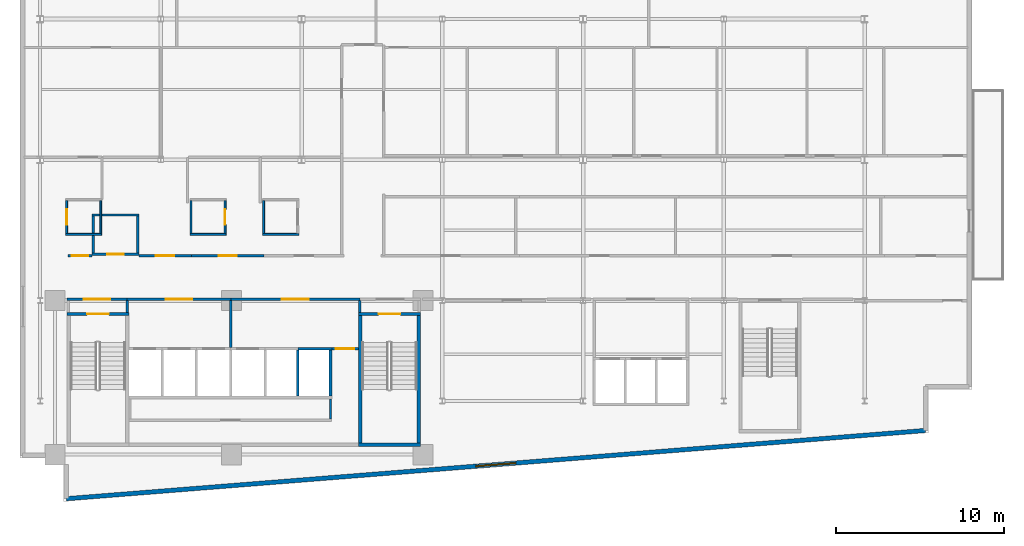
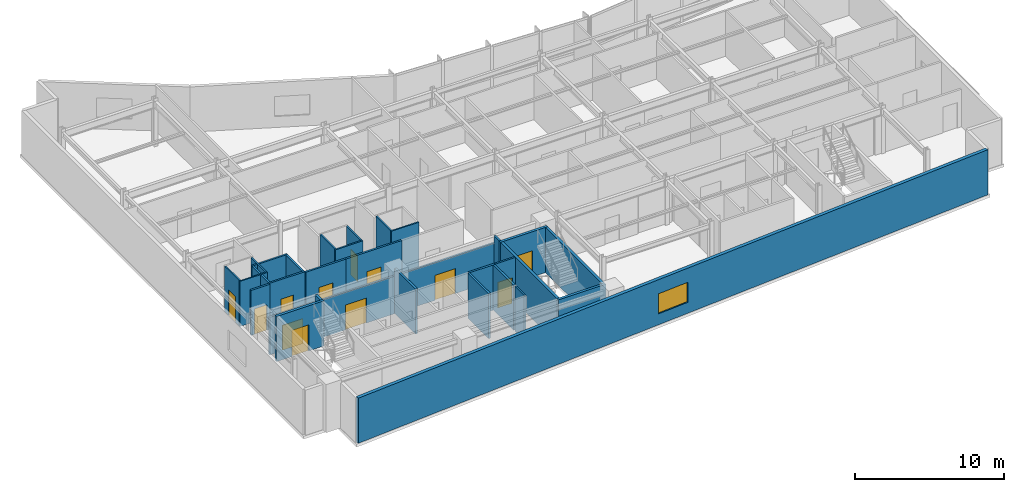
# One storey, part 10 of 18: 32 walls, 12 doors, 1 window, 13 openings.
"""IFC4 building model written with IfcOpenShell, lengths in metres."""

from ifc_helpers import new_model, si_unit, direction, frame, frame_2d, origin, place, context, subcontext, project, spatial, rectangle, extrude, material, layer, layer_set, type_object, element, fill, save


model = new_model("IFC4")

# Units and contexts
model_context = context("Model", 3, precision=1e-05, world=origin(), true_north=direction((0.0, 1.0)))
body_context = subcontext(model_context, "Body", "Model", "MODEL_VIEW")
ifc_project = project(units=[si_unit("LENGTHUNIT", "METRE"), si_unit("AREAUNIT", "SQUARE_METRE"), si_unit("VOLUMEUNIT", "CUBIC_METRE"), si_unit("PLANEANGLEUNIT", "RADIAN"), si_unit("MASSUNIT", "GRAM", prefix="KILO")], contexts=[model_context])

# Site, building, storey
site_placement = place(None, origin())
site = spatial("IfcSite", under=ifc_project, at=site_placement, CompositionType="ELEMENT")
building_placement = place(site_placement, origin())
building = spatial("IfcBuilding", under=site, at=building_placement, Name="Varnakote Quay Hospital", CompositionType="ELEMENT")
storey_placement = place(building_placement, frame((0.0, 0.0, 154.699951171875)))
storey = spatial("IfcBuildingStorey", under=building, at=storey_placement, Name="L38", CompositionType="ELEMENT", Elevation=154.699951171875)

# Wall, opening, door
ifc_material_1 = material(Name="Fire-rated acoustic gypsum stud wall", Category="gypsum")
ifc_layer_1 = layer(ifc_material_1, 0.159912109375)
ifc_layer_set_1 = layer_set([ifc_layer_1], Name="Fire-rated acoustic gypsum stud wall")
wall_type_1 = type_object("IfcWallType", Name="WL-COMP-160", PredefinedType="PARTITIONING", material=ifc_layer_set_1)
wall_1_placement = place(storey_placement, frame((2.800048828125, 12.080078125, 0.0), z_axis=(0.0, 0.0, 1.0), x_axis=(1.0, 0.0, 0.0)))
wall_1 = element("IfcWall", 1, at=wall_1_placement, inside=storey, type_object=wall_type_1, Name="L38 West Stair Vestibule Smoke Wall", PredefinedType="PARTITIONING", context=body_context, shape_type="SweptSolid", body=[
    extrude(rectangle(XDim=3.599853515625, YDim=0.159912109375, at=frame_2d((1.7998046875, 0.0))), origin(), (0.0, 0.0, 1.0), 3.0830078125),
])
opening_1_placement = place(wall_1_placement, frame((1.0, 0.0, 0.0)))
opening_1 = element("IfcOpeningElement", 2, at=opening_1_placement, cuts=wall_1, Name="Opening D-ST1L-L38", PredefinedType="OPENING", context=body_context, shape_type="SweptSolid", body=[
    extrude(rectangle(XDim=1.60009765625, YDim=2.050048828125, at=frame_2d((0.800048828125, 1.02490234375))), frame((0.0, 0.08984375, 0.0), z_axis=(0.0, -1.0, 0.0), x_axis=(1.0, 0.0, 0.0)), (0.0, 0.0, 1.0), 0.179931640625),
])
ifc_material_2 = material(Name="Fire-rated double smoke lobby door")
door_type_1 = type_object("IfcDoorType", Name="DR-LOBBY-FD60S-1600x2150", OperationType="NOTDEFINED", PredefinedType="DOOR", material=ifc_material_2)
door_1_placement = place(opening_1_placement, origin())
door_1 = element("IfcDoor", 3, at=door_1_placement, inside=storey, type_object=door_type_1, Name="L38 West Stair Vestibule Smoke Door", OperationType="DOUBLE_DOOR_SINGLE_SWING", OverallHeight=2.050048828125, OverallWidth=1.60009765625, PredefinedType="DOOR", context=body_context, shape_type="SweptSolid", body=[
    extrude(rectangle(XDim=1.60009765625, YDim=2.050048828125, at=frame_2d((0.800048828125, 1.02490234375))), frame((0.0, 0.02490234375, 0.0), z_axis=(0.0, -1.0, 0.0), x_axis=(1.0, 0.0, 0.0)), (0.0, 0.0, 1.0), 0.050048828125),
])
fill(opening_1, door_1)

# Wall
wall_2_placement = place(storey_placement, frame((6.39990234375, 11.300048828125, 0.0), z_axis=(0.0, 0.0, 1.0), x_axis=(0.0, 1.0, 0.0)))
element("IfcWall", 4, at=wall_2_placement, inside=storey, type_object=wall_type_1, Name="L38 Firefighting Lobby West Wall", PredefinedType="PARTITIONING", context=body_context, shape_type="SweptSolid", body=[
    extrude(rectangle(XDim=0.699951171875, YDim=0.159912109375, at=frame_2d((0.35009765625, 0.0))), origin(), (0.0, 0.0, 1.0), 3.7099609375),
])

# Wall, opening, door
wall_3_placement = place(storey_placement, frame((6.39990234375, 12.080078125, 0.0), z_axis=(0.0, 0.0, 1.0), x_axis=(1.0, 0.0, 0.0)))
wall_3 = element("IfcWall", 5, at=wall_3_placement, inside=storey, type_object=wall_type_1, Name="L38 Firefighting Lift Lobby Compartment Wall", PredefinedType="PARTITIONING", context=body_context, shape_type="SweptSolid", body=[
    extrude(rectangle(XDim=6.18017578125, YDim=0.159912109375, at=frame_2d((3.090087890625, 0.0))), origin(), (0.0, 0.0, 1.0), 3.0830078125),
])
opening_2_placement = place(wall_3_placement, frame((2.2900390625, 0.0, 0.0)))
opening_2 = element("IfcOpeningElement", 6, at=opening_2_placement, cuts=wall_3, Name="Opening D-FFL-L38", PredefinedType="OPENING", context=body_context, shape_type="SweptSolid", body=[
    extrude(rectangle(XDim=1.60009765625, YDim=2.050048828125, at=frame_2d((0.800048828125, 1.02490234375))), frame((0.0, 0.08984375, 0.0), z_axis=(0.0, -1.0, 0.0), x_axis=(1.0, 0.0, 0.0)), (0.0, 0.0, 1.0), 0.179931640625),
])
door_2_placement = place(opening_2_placement, origin())
door_2 = element("IfcDoor", 7, at=door_2_placement, inside=storey, type_object=door_type_1, Name="L38 Firefighting Smoke Vestibule Door", OperationType="DOUBLE_DOOR_SINGLE_SWING", OverallHeight=2.050048828125, OverallWidth=1.60009765625, PredefinedType="DOOR", context=body_context, shape_type="SweptSolid", body=[
    extrude(rectangle(XDim=1.60009765625, YDim=2.050048828125, at=frame_2d((0.800048828125, 1.02490234375))), frame((0.0, 0.02490234375, 0.0), z_axis=(0.0, -1.0, 0.0), x_axis=(1.0, 0.0, 0.0)), (0.0, 0.0, 1.0), 0.050048828125),
])
fill(opening_2, door_2)

# Wall
wall_4_placement = place(storey_placement, frame((12.580078125, 9.2099609375, 0.0), z_axis=(0.0, 0.0, 1.0), x_axis=(0.0, 1.0, 0.0)))
element("IfcWall", 8, at=wall_4_placement, inside=storey, type_object=wall_type_1, Name="L38 Firefighting to Service Lobby Wall", PredefinedType="PARTITIONING", context=body_context, shape_type="SweptSolid", body=[
    extrude(rectangle(XDim=2.7900390625, YDim=0.159912109375, at=frame_2d((1.39501953125, 0.0))), origin(), (0.0, 0.0, 1.0), 3.7099609375),
])

# Wall, opening, door
wall_5_placement = place(storey_placement, frame((12.580078125, 12.080078125, 0.0), z_axis=(0.0, 0.0, 1.0), x_axis=(1.0, 0.0, 0.0)))
wall_5 = element("IfcWall", 9, at=wall_5_placement, inside=storey, type_object=wall_type_1, Name="L38 Clinical Bed Lift Lobby Wall", PredefinedType="PARTITIONING", context=body_context, shape_type="SweptSolid", body=[
    extrude(rectangle(XDim=7.699951171875, YDim=0.159912109375, at=frame_2d((3.85009765625, 0.0))), origin(), (0.0, 0.0, 1.0), 3.0830078125),
])
opening_3_placement = place(wall_5_placement, frame((3.050048828125, 0.0, 0.0)))
opening_3 = element("IfcOpeningElement", 10, at=opening_3_placement, cuts=wall_5, Name="Opening D-SVL-L38", PredefinedType="OPENING", context=body_context, shape_type="SweptSolid", body=[
    extrude(rectangle(XDim=1.60009765625, YDim=2.050048828125, at=frame_2d((0.800048828125, 1.02490234375))), frame((0.0, 0.08984375, 0.0), z_axis=(0.0, -1.0, 0.0), x_axis=(1.0, 0.0, 0.0)), (0.0, 0.0, 1.0), 0.179931640625),
])
door_3_placement = place(opening_3_placement, origin())
door_3 = element("IfcDoor", 11, at=door_3_placement, inside=storey, type_object=door_type_1, Name="L38 Clinical Core Smoke Vestibule Door", OperationType="DOUBLE_DOOR_SINGLE_SWING", OverallHeight=2.050048828125, OverallWidth=1.60009765625, PredefinedType="DOOR", context=body_context, shape_type="SweptSolid", body=[
    extrude(rectangle(XDim=1.60009765625, YDim=2.050048828125, at=frame_2d((0.800048828125, 1.02490234375))), frame((0.0, 0.02490234375, 0.0), z_axis=(0.0, -1.0, 0.0), x_axis=(1.0, 0.0, 0.0)), (0.0, 0.0, 1.0), 0.050048828125),
])
fill(opening_3, door_3)

# Walls
wall_6_placement = place(storey_placement, frame((20.280029296875, 11.300048828125, 0.0), z_axis=(0.0, 0.0, 1.0), x_axis=(0.0, 1.0, 0.0)))
element("IfcWall", 12, at=wall_6_placement, inside=storey, type_object=wall_type_1, Name="L38 East Stair Vestibule Divider Wall", PredefinedType="PARTITIONING", context=body_context, shape_type="SweptSolid", body=[
    extrude(rectangle(XDim=0.699951171875, YDim=0.159912109375, at=frame_2d((0.35009765625, 0.0))), origin(), (0.0, 0.0, 1.0), 3.7099609375),
])
ifc_material_3 = material(Name="Moisture-resistant bathroom partition", Category="gypsum")
ifc_layer_2 = layer(ifc_material_3, 0.114990234375)
ifc_layer_set_2 = layer_set([ifc_layer_2], Name="Moisture-resistant bathroom partition")
wall_type_2 = type_object("IfcWallType", Name="WL-ENS-115", PredefinedType="PARTITIONING", material=ifc_layer_set_2)
wall_7_placement = place(storey_placement, frame((2.72509765625, 15.952392578125, 0.0), z_axis=(0.0, 0.0, 1.0), x_axis=(1.0, 0.0, 0.0)))
element("IfcWall", 13, at=wall_7_placement, inside=storey, type_object=wall_type_2, Name="L38 Inpatient En-Suite Bathroom 01 S Wall", PredefinedType="PARTITIONING", context=body_context, shape_type="SweptSolid", body=[
    extrude(rectangle(XDim=2.14990234375, YDim=0.114990234375, at=frame_2d((1.074951171875, 0.0))), origin(), (0.0, 0.0, 1.0), 3.7099609375),
])

# Wall, opening, door
wall_8_placement = place(storey_placement, frame((2.782470703125, 16.010009765625, 0.0), z_axis=(0.0, 0.0, 1.0), x_axis=(0.0, 1.0, 0.0)))
wall_8 = element("IfcWall", 14, at=wall_8_placement, inside=storey, type_object=wall_type_2, Name="L38 Inpatient En-Suite Bathroom 01 W Wall", PredefinedType="PARTITIONING", context=body_context, shape_type="SweptSolid", body=[
    extrude(rectangle(XDim=1.949951171875, YDim=0.114990234375, at=frame_2d((0.97509765625, 0.0))), origin(), (0.0, 0.0, 1.0), 3.7099609375),
])
opening_4_placement = place(wall_8_placement, frame((0.514892578125, 0.0, 0.0)))
opening_4 = element("IfcOpeningElement", 15, at=opening_4_placement, cuts=wall_8, Name="Opening D-L38-ENS01", PredefinedType="OPENING", context=body_context, shape_type="SweptSolid", body=[
    extrude(rectangle(XDim=0.919921875, YDim=2.10009765625, at=frame_2d((0.4599609375, 1.050048828125))), frame((0.0, 0.0673828125, 0.0), z_axis=(0.0, -1.0, 0.0), x_axis=(1.0, 0.0, 0.0)), (0.0, 0.0, 1.0), 0.135009765625),
])
ifc_material_4 = material(Name="Moisture-sealed en-suite bathroom door")
door_type_2 = type_object("IfcDoorType", Name="DR-ENS-920x2100", OperationType="NOTDEFINED", PredefinedType="DOOR", material=ifc_material_4)
door_4_placement = place(opening_4_placement, origin())
door_4 = element("IfcDoor", 16, at=door_4_placement, inside=storey, type_object=door_type_2, Name="L38 Inpatient En-Suite Bathroom 01 Door", OperationType="SINGLE_SWING_RIGHT", OverallHeight=2.10009765625, OverallWidth=0.919921875, PredefinedType="DOOR", context=body_context, shape_type="SweptSolid", body=[
    extrude(rectangle(XDim=0.919921875, YDim=2.10009765625, at=frame_2d((0.4599609375, 1.050048828125))), frame((0.0, 0.02490234375, 0.0), z_axis=(0.0, -1.0, 0.0), x_axis=(1.0, 0.0, 0.0)), (0.0, 0.0, 1.0), 0.050048828125),
])
fill(opening_4, door_4)

# Walls
wall_9_placement = place(storey_placement, frame((4.8173828125, 16.010009765625, 0.0), z_axis=(0.0, 0.0, 1.0), x_axis=(0.0, 1.0, 0.0)))
element("IfcWall", 17, at=wall_9_placement, inside=storey, type_object=wall_type_2, Name="L38 Inpatient En-Suite Bathroom 01 E Wall", PredefinedType="PARTITIONING", context=body_context, shape_type="SweptSolid", body=[
    extrude(rectangle(XDim=1.949951171875, YDim=0.114990234375, at=frame_2d((0.97509765625, 0.0))), origin(), (0.0, 0.0, 1.0), 3.7099609375),
])
wall_10_placement = place(storey_placement, frame((10.14501953125, 15.952392578125, 0.0), z_axis=(0.0, 0.0, 1.0), x_axis=(1.0, 0.0, 0.0)))
element("IfcWall", 18, at=wall_10_placement, inside=storey, type_object=wall_type_2, Name="L38 Inpatient En-Suite Bathroom 02 S Wall", PredefinedType="PARTITIONING", context=body_context, shape_type="SweptSolid", body=[
    extrude(rectangle(XDim=2.14990234375, YDim=0.114990234375, at=frame_2d((1.074951171875, 0.0))), origin(), (0.0, 0.0, 1.0), 3.7099609375),
])
wall_11_placement = place(storey_placement, frame((10.202392578125, 16.010009765625, 0.0), z_axis=(0.0, 0.0, 1.0), x_axis=(0.0, 1.0, 0.0)))
element("IfcWall", 19, at=wall_11_placement, inside=storey, type_object=wall_type_2, Name="L38 Inpatient En-Suite Bathroom 02 W Wall", PredefinedType="PARTITIONING", context=body_context, shape_type="SweptSolid", body=[
    extrude(rectangle(XDim=1.949951171875, YDim=0.114990234375, at=frame_2d((0.97509765625, 0.0))), origin(), (0.0, 0.0, 1.0), 3.7099609375),
])

# Wall, opening, door
wall_12_placement = place(storey_placement, frame((12.237548828125, 16.010009765625, 0.0), z_axis=(0.0, 0.0, 1.0), x_axis=(0.0, 1.0, 0.0)))
wall_12 = element("IfcWall", 20, at=wall_12_placement, inside=storey, type_object=wall_type_2, Name="L38 Inpatient En-Suite Bathroom 02 E Wall", PredefinedType="PARTITIONING", context=body_context, shape_type="SweptSolid", body=[
    extrude(rectangle(XDim=1.949951171875, YDim=0.114990234375, at=frame_2d((0.97509765625, 0.0))), origin(), (0.0, 0.0, 1.0), 3.7099609375),
])
opening_5_placement = place(wall_12_placement, frame((0.514892578125, 0.0, 0.0)))
opening_5 = element("IfcOpeningElement", 21, at=opening_5_placement, cuts=wall_12, Name="Opening D-L38-ENS02", PredefinedType="OPENING", context=body_context, shape_type="SweptSolid", body=[
    extrude(rectangle(XDim=0.919921875, YDim=2.10009765625, at=frame_2d((0.4599609375, 1.050048828125))), frame((0.0, 0.0673828125, 0.0), z_axis=(0.0, -1.0, 0.0), x_axis=(1.0, 0.0, 0.0)), (0.0, 0.0, 1.0), 0.135009765625),
])
door_5_placement = place(opening_5_placement, origin())
door_5 = element("IfcDoor", 22, at=door_5_placement, inside=storey, type_object=door_type_2, Name="L38 Inpatient En-Suite Bathroom 02 Door", OperationType="SINGLE_SWING_LEFT", OverallHeight=2.10009765625, OverallWidth=0.919921875, PredefinedType="DOOR", context=body_context, shape_type="SweptSolid", body=[
    extrude(rectangle(XDim=0.919921875, YDim=2.10009765625, at=frame_2d((0.4599609375, 1.050048828125))), frame((0.0, 0.02490234375, 0.0), z_axis=(0.0, -1.0, 0.0), x_axis=(1.0, 0.0, 0.0)), (0.0, 0.0, 1.0), 0.050048828125),
])
fill(opening_5, door_5)

# Walls
wall_13_placement = place(storey_placement, frame((14.485107421875, 15.952392578125, 0.0), z_axis=(0.0, 0.0, 1.0), x_axis=(1.0, 0.0, 0.0)))
element("IfcWall", 23, at=wall_13_placement, inside=storey, type_object=wall_type_2, Name="L38 Inpatient En-Suite Bathroom 03 S Wall", PredefinedType="PARTITIONING", context=body_context, shape_type="SweptSolid", body=[
    extrude(rectangle(XDim=2.14990234375, YDim=0.114990234375, at=frame_2d((1.074951171875, 0.0))), origin(), (0.0, 0.0, 1.0), 3.7099609375),
])
wall_14_placement = place(storey_placement, frame((14.54248046875, 16.010009765625, 0.0), z_axis=(0.0, 0.0, 1.0), x_axis=(0.0, 1.0, 0.0)))
element("IfcWall", 24, at=wall_14_placement, inside=storey, type_object=wall_type_2, Name="L38 Inpatient En-Suite Bathroom 03 W Wall", PredefinedType="PARTITIONING", context=body_context, shape_type="SweptSolid", body=[
    extrude(rectangle(XDim=1.949951171875, YDim=0.114990234375, at=frame_2d((0.97509765625, 0.0))), origin(), (0.0, 0.0, 1.0), 3.7099609375),
])

# Wall, opening, window
ifc_material_5 = material(Name="Precast concrete N50 (f'c 50 MPa)", Category="concrete")
ifc_layer_3 = layer(ifc_material_5, 0.260009765625)
ifc_layer_set_3 = layer_set([ifc_layer_3], Name="Precast concrete N50 (f'c 50 MPa)")
wall_type_3 = type_object("IfcWallType", Name="WL-EXT-BRICK-260", PredefinedType="STANDARD", material=ifc_layer_set_3)
wall_15_placement = place(storey_placement, frame((2.760009765625, 0.173095703125, 0.0), z_axis=(0.0, 0.0, 1.0), x_axis=(0.996857931723, 0.079210251617, 0.0)))
wall_15 = element("IfcWall", 25, at=wall_15_placement, inside=storey, type_object=wall_type_3, Name="L38 Brick-Faced Precast Exterior Wall", PredefinedType="STANDARD", context=body_context, shape_type="SweptSolid", body=[
    extrude(rectangle(XDim=51.441650390625, YDim=0.260009765625, at=frame_2d((25.720703125, 0.0))), origin(), (0.0, 0.0, 1.0), 3.7099609375),
])
opening_6_placement = place(wall_15_placement, frame((24.520751953125, 0.0, 0.89990234375)))
opening_6 = element("IfcOpeningElement", 26, at=opening_6_placement, cuts=wall_15, Name="Opening WN-0162", PredefinedType="OPENING", context=body_context, shape_type="SweptSolid", body=[
    extrude(rectangle(XDim=2.39990234375, YDim=1.64990234375, at=frame_2d((1.199951171875, 0.824951171875))), frame((0.0, 0.139892578125, 0.0), z_axis=(0.0, -1.0, 0.0), x_axis=(1.0, 0.0, 0.0)), (0.0, 0.0, 1.0), 0.280029296875),
])
ifc_material_6 = material(Name="Double-glazed low-E solar glass", Category="glass")
window_type = type_object("IfcWindowType", Name="WIN-CLIN-2400x1650", PartitioningType="SINGLE_PANEL", PredefinedType="WINDOW", material=ifc_material_6)
window_placement = place(opening_6_placement, origin())
window = element("IfcWindow", 27, at=window_placement, inside=storey, type_object=window_type, Name="L38 Solar-Control Clinical Window", OverallHeight=1.64990234375, OverallWidth=2.39990234375, PartitioningType="SINGLE_PANEL", PredefinedType="WINDOW", context=body_context, shape_type="SweptSolid", body=[
    extrude(rectangle(XDim=2.39990234375, YDim=1.64990234375, at=frame_2d((1.199951171875, 0.824951171875))), frame((0.0, 0.030029296875, 0.0), z_axis=(0.0, -1.0, 0.0), x_axis=(1.0, 0.0, 0.0)), (0.0, 0.0, 1.0), 0.06005859375),
])
fill(opening_6, window)

# Walls
ifc_material_7 = material(Name="Concrete N50 (f'c 50 MPa)", Category="concrete")
ifc_layer_4 = layer(ifc_material_7, 0.14990234375)
ifc_layer_set_4 = layer_set([ifc_layer_4], Name="Concrete N50 (f'c 50 MPa)")
wall_type_4 = type_object("IfcWallType", Name="WL-SHAFT-N50-150", PredefinedType="SHEAR", material=ifc_layer_set_4)
wall_16_placement = place(storey_placement, frame((16.574951171875, 6.300048828125, 0.0), z_axis=(0.0, 0.0, 1.0), x_axis=(0.0, 1.0, 0.0)))
element("IfcWall", 28, at=wall_16_placement, inside=storey, type_object=wall_type_4, Name="L38 LF-PH1 Hoistway Divider Wall", PredefinedType="SHEAR", context=body_context, shape_type="SweptSolid", body=[
    extrude(rectangle(XDim=2.75, YDim=0.14990234375, at=frame_2d((1.375, 0.0))), origin(), (0.0, 0.0, 1.0), 3.7099609375),
])
ifc_material_8 = material(Name="Concrete N50 (f'c 50 MPa)", Category="concrete")
ifc_layer_5 = layer(ifc_material_8, 0.159912109375)
ifc_layer_set_5 = layer_set([ifc_layer_5], Name="Concrete N50 (f'c 50 MPa)")
wall_type_5 = type_object("IfcWallType", Name="WL-SHAFT-N50-160", PredefinedType="SHEAR", material=ifc_layer_set_5)
wall_17_placement = place(storey_placement, frame((18.530029296875, 6.300048828125, 0.0), z_axis=(0.0, 0.0, 1.0), x_axis=(0.0, 1.0, 0.0)))
element("IfcWall", 29, at=wall_17_placement, inside=storey, type_object=wall_type_5, Name="L38 REAR Lift Bank East Shear Wall", PredefinedType="SHEAR", context=body_context, shape_type="SweptSolid", body=[
    extrude(rectangle(XDim=2.75, YDim=0.159912109375, at=frame_2d((1.375, 0.0))), origin(), (0.0, 0.0, 1.0), 3.7099609375),
])
wall_18_placement = place(storey_placement, frame((16.574951171875, 9.1298828125, 0.0), z_axis=(0.0, 0.0, 1.0), x_axis=(1.0, 0.0, 0.0)))
element("IfcWall", 30, at=wall_18_placement, inside=storey, type_object=wall_type_5, Name="L38 LF-PH2 Hoistway Front Wall", PredefinedType="SHEAR", context=body_context, shape_type="SweptSolid", body=[
    extrude(rectangle(XDim=2.03515625, YDim=0.159912109375, at=frame_2d((1.017578125, 0.0))), origin(), (0.0, 0.0, 1.0), 3.7099609375),
])

# Wall, opening, door
ifc_material_9 = material(Name="Concrete N50 (f'c 50 MPa)", Category="concrete")
ifc_layer_6 = layer(ifc_material_9, 0.199951171875)
ifc_layer_set_6 = layer_set([ifc_layer_6], Name="Concrete N50 (f'c 50 MPa)")
wall_type_6 = type_object("IfcWallType", Name="WL-SHAFT-N50-200", PredefinedType="SHEAR", material=ifc_layer_set_6)
wall_19_placement = place(storey_placement, frame((2.800048828125, 11.199951171875, 0.0), z_axis=(0.0, 0.0, 1.0), x_axis=(1.0, 0.0, 0.0)))
wall_19 = element("IfcWall", 31, at=wall_19_placement, inside=storey, type_object=wall_type_6, Name="L38 Stair ST1 Exit Wall", PredefinedType="SHEAR", context=body_context, shape_type="SweptSolid", body=[
    extrude(rectangle(XDim=3.699951171875, YDim=0.199951171875, at=frame_2d((1.85009765625, 0.0))), origin(), (0.0, 0.0, 1.0), 3.7099609375),
])
opening_7_placement = place(wall_19_placement, frame((1.199951171875, 0.0, 0.0)))
opening_7 = element("IfcOpeningElement", 32, at=opening_7_placement, cuts=wall_19, Name="Opening D-ST1-L38", PredefinedType="OPENING", context=body_context, shape_type="SweptSolid", body=[
    extrude(rectangle(XDim=1.300048828125, YDim=2.14990234375, at=frame_2d((0.64990234375, 1.074951171875))), frame((0.0, 0.10986328125, 0.0), z_axis=(0.0, -1.0, 0.0), x_axis=(1.0, 0.0, 0.0)), (0.0, 0.0, 1.0), 0.219970703125),
])
ifc_material_10 = material(Name="Fire-rated ceramic-glazed timber exit door", Category="wood")
door_type_3 = type_object("IfcDoorType", Name="DR-STAIR-FD60S-1300x2150", OperationType="NOTDEFINED", PredefinedType="DOOR", material=ifc_material_10)
door_6_placement = place(opening_7_placement, origin())
door_6 = element("IfcDoor", 33, at=door_6_placement, inside=storey, type_object=door_type_3, Name="L38 Stair ST1 Fire Exit Door", OperationType="SINGLE_SWING_RIGHT", OverallHeight=2.14990234375, OverallWidth=1.300048828125, PredefinedType="DOOR", context=body_context, shape_type="SweptSolid", body=[
    extrude(rectangle(XDim=1.300048828125, YDim=2.14990234375, at=frame_2d((0.64990234375, 1.074951171875))), frame((0.0, 0.02490234375, 0.0), z_axis=(0.0, -1.0, 0.0), x_axis=(1.0, 0.0, 0.0)), (0.0, 0.0, 1.0), 0.050048828125),
])
fill(opening_7, door_6)

# Walls
wall_20_placement = place(storey_placement, frame((20.199951171875, 3.39990234375, 0.0), z_axis=(0.0, 0.0, 1.0), x_axis=(1.0, 0.0, 0.0)))
element("IfcWall", 34, at=wall_20_placement, inside=storey, type_object=wall_type_6, Name="L38 Stair ST2 South Shaft Wall", PredefinedType="SHEAR", context=body_context, shape_type="SweptSolid", body=[
    extrude(rectangle(XDim=3.699951171875, YDim=0.199951171875, at=frame_2d((1.85009765625, 0.0))), origin(), (0.0, 0.0, 1.0), 3.7099609375),
])
for number, where, z_axis, x_axis, name in (
    (35, (20.300048828125, 3.5, 0.0), (0.0, 0.0, 1.0), (0.0, 1.0, 0.0), "L38 Stair ST2 West Shaft Wall"),
    (36, (23.800048828125, 3.5, 0.0), (0.0, 0.0, 1.0), (0.0, 1.0, 0.0), "L38 Stair ST2 East Shaft Wall"),
):
    element("IfcWall", number, at=place(storey_placement, frame(where, z_axis=z_axis, x_axis=x_axis)), inside=storey, type_object=wall_type_6, Name=name, PredefinedType="SHEAR", context=body_context, shape_type="SweptSolid", body=[
        extrude(rectangle(XDim=7.60009765625, YDim=0.199951171875, at=frame_2d((3.800048828125, 0.0))), origin(), (0.0, 0.0, 1.0), 3.7099609375),
    ])

# Wall, opening, door
wall_21_placement = place(storey_placement, frame((20.199951171875, 11.199951171875, 0.0), z_axis=(0.0, 0.0, 1.0), x_axis=(1.0, 0.0, 0.0)))
wall_21 = element("IfcWall", 37, at=wall_21_placement, inside=storey, type_object=wall_type_6, Name="L38 Stair ST2 Exit Wall", PredefinedType="SHEAR", context=body_context, shape_type="SweptSolid", body=[
    extrude(rectangle(XDim=3.699951171875, YDim=0.199951171875, at=frame_2d((1.85009765625, 0.0))), origin(), (0.0, 0.0, 1.0), 3.7099609375),
])
opening_8_placement = place(wall_21_placement, frame((1.199951171875, 0.0, 0.0)))
opening_8 = element("IfcOpeningElement", 38, at=opening_8_placement, cuts=wall_21, Name="Opening D-ST2-L38", PredefinedType="OPENING", context=body_context, shape_type="SweptSolid", body=[
    extrude(rectangle(XDim=1.300048828125, YDim=2.14990234375, at=frame_2d((0.64990234375, 1.074951171875))), frame((0.0, 0.10986328125, 0.0), z_axis=(0.0, -1.0, 0.0), x_axis=(1.0, 0.0, 0.0)), (0.0, 0.0, 1.0), 0.219970703125),
])
door_7_placement = place(opening_8_placement, origin())
door_7 = element("IfcDoor", 39, at=door_7_placement, inside=storey, type_object=door_type_3, Name="L38 Stair ST2 Fire Exit Door", OperationType="SINGLE_SWING_LEFT", OverallHeight=2.14990234375, OverallWidth=1.300048828125, PredefinedType="DOOR", context=body_context, shape_type="SweptSolid", body=[
    extrude(rectangle(XDim=1.300048828125, YDim=2.14990234375, at=frame_2d((0.64990234375, 1.074951171875))), frame((0.0, 0.02490234375, 0.0), z_axis=(0.0, -1.0, 0.0), x_axis=(1.0, 0.0, 0.0)), (0.0, 0.0, 1.0), 0.050048828125),
])
fill(opening_8, door_7)

# Wall
ifc_material_11 = material(Name="Smoke-proof clinical partition", Category="gypsum")
ifc_layer_7 = layer(ifc_material_11, 0.1201171875)
ifc_layer_set_7 = layer_set([ifc_layer_7], Name="Smoke-proof clinical partition")
wall_type_7 = type_object("IfcWallType", Name="WL-SMOKE-120", PredefinedType="PARTITIONING", material=ifc_layer_set_7)
wall_22_placement = place(storey_placement, frame((18.5400390625, 4.919921875, 0.0), z_axis=(0.0, 0.0, 1.0), x_axis=(0.0, 1.0, 0.0)))
element("IfcWall", 40, at=wall_22_placement, inside=storey, type_object=wall_type_7, Name="L38 Core Service Strip East Wall", PredefinedType="PARTITIONING", context=body_context, shape_type="SweptSolid", body=[
    extrude(rectangle(XDim=1.219970703125, YDim=0.1201171875, at=frame_2d((0.60986328125, 0.0))), origin(), (0.0, 0.0, 1.0), 3.7099609375),
])

# Wall, opening, door
ifc_material_12 = material(Name="Fire-rated clinical gypsum partition", Category="gypsum")
ifc_layer_8 = layer(ifc_material_12, 0.139892578125)
ifc_layer_set_8 = layer_set([ifc_layer_8], Name="Fire-rated clinical gypsum partition")
wall_type_8 = type_object("IfcWallType", Name="WL-WARD-140", PredefinedType="PARTITIONING", material=ifc_layer_set_8)
wall_23_placement = place(storey_placement, frame((18.610107421875, 9.1298828125, 0.0), z_axis=(0.0, 0.0, 1.0), x_axis=(1.0, 0.0, 0.0)))
wall_23 = element("IfcWall", 41, at=wall_23_placement, inside=storey, type_object=wall_type_8, Name="L38 Core Service Corridor North Door Wall", PredefinedType="PARTITIONING", context=body_context, shape_type="SweptSolid", body=[
    extrude(rectangle(XDim=1.58984375, YDim=0.139892578125, at=frame_2d((0.794921875, 0.0))), origin(), (0.0, 0.0, 1.0), 3.7099609375),
])
opening_9_placement = place(wall_23_placement, frame((0.239990234375, 0.0, 0.0)))
opening_9 = element("IfcOpeningElement", 42, at=opening_9_placement, cuts=wall_23, Name="Opening D-CSRV-L38", PredefinedType="OPENING", context=body_context, shape_type="SweptSolid", body=[
    extrude(rectangle(XDim=1.10009765625, YDim=2.10009765625, at=frame_2d((0.550048828125, 1.050048828125))), frame((0.0, 0.079833984375, 0.0), z_axis=(0.0, -1.0, 0.0), x_axis=(1.0, 0.0, 0.0)), (0.0, 0.0, 1.0), 0.159912109375),
])
ifc_material_13 = material(Name="Acoustic timber clinical consult door", Category="wood")
door_type_4 = type_object("IfcDoorType", Name="DR-CLIN-FD30S-1100x2100", OperationType="NOTDEFINED", PredefinedType="DOOR", material=ifc_material_13)
door_8_placement = place(opening_9_placement, origin())
door_8 = element("IfcDoor", 43, at=door_8_placement, inside=storey, type_object=door_type_4, Name="L38 Core Service Corridor Door", OperationType="SINGLE_SWING_RIGHT", OverallHeight=2.10009765625, OverallWidth=1.10009765625, PredefinedType="DOOR", context=body_context, shape_type="SweptSolid", body=[
    extrude(rectangle(XDim=1.10009765625, YDim=2.10009765625, at=frame_2d((0.550048828125, 1.050048828125))), frame((0.0, 0.02490234375, 0.0), z_axis=(0.0, -1.0, 0.0), x_axis=(1.0, 0.0, 0.0)), (0.0, 0.0, 1.0), 0.050048828125),
])
fill(opening_9, door_8)

wall_24_placement = place(storey_placement, frame((4.31005859375, 14.77001953125, 0.0), z_axis=(0.0, 0.0, 1.0), x_axis=(1.0, 0.0, 0.0)))
wall_24 = element("IfcWall", 44, at=wall_24_placement, inside=storey, type_object=wall_type_8, Name="L38 Floor Unisex Accessible WC S Wall", PredefinedType="PARTITIONING", context=body_context, shape_type="SweptSolid", body=[
    extrude(rectangle(XDim=2.780029296875, YDim=0.139892578125, at=frame_2d((1.39013671875, 0.0))), origin(), (0.0, 0.0, 1.0), 3.7099609375),
])
opening_10_placement = place(wall_24_placement, frame((0.89990234375, 0.0, 0.0)))
opening_10 = element("IfcOpeningElement", 45, at=opening_10_placement, cuts=wall_24, Name="Opening D-L38-EW01", PredefinedType="OPENING", context=body_context, shape_type="SweptSolid", body=[
    extrude(rectangle(XDim=0.97998046875, YDim=2.10009765625, at=frame_2d((0.489990234375, 1.050048828125))), frame((0.0, 0.079833984375, 0.0), z_axis=(0.0, -1.0, 0.0), x_axis=(1.0, 0.0, 0.0)), (0.0, 0.0, 1.0), 0.159912109375),
])
ifc_material_14 = material(Name="Accessible sanitary compartment door")
door_type_5 = type_object("IfcDoorType", Name="DR-WC-980x2100", OperationType="NOTDEFINED", PredefinedType="DOOR", material=ifc_material_14)
door_9_placement = place(opening_10_placement, origin())
door_9 = element("IfcDoor", 46, at=door_9_placement, inside=storey, type_object=door_type_5, Name="L38 Floor Unisex Accessible WC Door", OperationType="SINGLE_SWING_LEFT", OverallHeight=2.10009765625, OverallWidth=0.97998046875, PredefinedType="DOOR", context=body_context, shape_type="SweptSolid", body=[
    extrude(rectangle(XDim=0.97998046875, YDim=2.10009765625, at=frame_2d((0.489990234375, 1.050048828125))), frame((0.0, 0.02490234375, 0.0), z_axis=(0.0, -1.0, 0.0), x_axis=(1.0, 0.0, 0.0)), (0.0, 0.0, 1.0), 0.050048828125),
])
fill(opening_10, door_9)

# Walls
wall_25_placement = place(storey_placement, frame((4.31005859375, 17.110107421875, 0.0), z_axis=(0.0, 0.0, 1.0), x_axis=(1.0, 0.0, 0.0)))
element("IfcWall", 47, at=wall_25_placement, inside=storey, type_object=wall_type_8, Name="L38 Floor Unisex Accessible WC N Wall", PredefinedType="PARTITIONING", context=body_context, shape_type="SweptSolid", body=[
    extrude(rectangle(XDim=2.780029296875, YDim=0.139892578125, at=frame_2d((1.39013671875, 0.0))), origin(), (0.0, 0.0, 1.0), 3.7099609375),
])
for number, where, z_axis, x_axis, name in (
    (48, (4.3798828125, 14.840087890625, 0.0), (0.0, 0.0, 1.0), (0.0, 1.0, 0.0), "L38 Floor Unisex Accessible WC W Wall"),
    (49, (7.02001953125, 14.840087890625, 0.0), (0.0, 0.0, 1.0), (0.0, 1.0, 0.0), "L38 Floor Unisex Accessible WC E Wall"),
):
    element("IfcWall", number, at=place(storey_placement, frame(where, z_axis=z_axis, x_axis=x_axis)), inside=storey, type_object=wall_type_8, Name=name, PredefinedType="PARTITIONING", context=body_context, shape_type="SweptSolid", body=[
        extrude(rectangle(XDim=2.199951171875, YDim=0.139892578125, at=frame_2d((1.10009765625, 0.0))), origin(), (0.0, 0.0, 1.0), 3.7099609375),
    ])

# Wall, opening, door
ifc_material_15 = material(Name="Fire-rated clinical gypsum partition", Category="gypsum")
ifc_layer_9 = layer(ifc_material_15, 0.14990234375)
ifc_layer_set_9 = layer_set([ifc_layer_9], Name="Fire-rated clinical gypsum partition")
wall_type_9 = type_object("IfcWallType", Name="WL-WARD-150", PredefinedType="PARTITIONING", material=ifc_layer_set_9)
wall_26_placement = place(storey_placement, frame((4.30810546875, 14.679931640625, 0.0), z_axis=(0.0, 0.0, 1.0), x_axis=(-1.0, 0.0, 0.0)))
wall_26 = element("IfcWall", 50, at=wall_26_placement, inside=storey, type_object=wall_type_9, Name="L38 Clinical Interior Partition", PredefinedType="PARTITIONING", context=body_context, shape_type="SweptSolid", body=[
    extrude(rectangle(XDim=1.4580078125, YDim=0.14990234375, at=frame_2d((0.72900390625, 0.0))), origin(), (0.0, 0.0, 1.0), 3.7099609375),
])
opening_11_placement = place(wall_26_placement, frame((0.239013671875, 0.0, 0.0)))
opening_11 = element("IfcOpeningElement", 51, at=opening_11_placement, cuts=wall_26, Name="Opening D-L38-BR01", PredefinedType="OPENING", context=body_context, shape_type="SweptSolid", body=[
    extrude(rectangle(XDim=0.97998046875, YDim=2.10009765625, at=frame_2d((0.489990234375, 1.050048828125))), frame((0.0, 0.0849609375, 0.0), z_axis=(0.0, -1.0, 0.0), x_axis=(1.0, 0.0, 0.0)), (0.0, 0.0, 1.0), 0.169921875),
])
door_10_placement = place(opening_11_placement, origin())
door_10 = element("IfcDoor", 52, at=door_10_placement, inside=storey, type_object=door_type_5, Name="L38 Inpatient Clinical Treatment Room 01 Door", OperationType="SINGLE_SWING_LEFT", OverallHeight=2.10009765625, OverallWidth=0.97998046875, PredefinedType="DOOR", context=body_context, shape_type="SweptSolid", body=[
    extrude(rectangle(XDim=0.97998046875, YDim=2.10009765625, at=frame_2d((0.489990234375, 1.050048828125))), frame((0.0, 0.02490234375, 0.0), z_axis=(0.0, -1.0, 0.0), x_axis=(1.0, 0.0, 0.0)), (0.0, 0.0, 1.0), 0.050048828125),
])
fill(opening_11, door_10)

wall_27_placement = place(storey_placement, frame((10.22607421875, 14.679931640625, 0.0), z_axis=(0.0, 0.0, 1.0), x_axis=(-1.0, 0.0, 0.0)))
wall_27 = element("IfcWall", 53, at=wall_27_placement, inside=storey, type_object=wall_type_9, Name="L38 Clinical Interior Partition", PredefinedType="PARTITIONING", context=body_context, shape_type="SweptSolid", body=[
    extrude(rectangle(XDim=3.134033203125, YDim=0.14990234375, at=frame_2d((1.56689453125, 0.0))), origin(), (0.0, 0.0, 1.0), 3.7099609375),
])
opening_12_placement = place(wall_27_placement, frame((1.01708984375, 0.0, 0.0)))
opening_12 = element("IfcOpeningElement", 54, at=opening_12_placement, cuts=wall_27, Name="Opening D-L38-MD01", PredefinedType="OPENING", context=body_context, shape_type="SweptSolid", body=[
    extrude(rectangle(XDim=1.10009765625, YDim=2.10009765625, at=frame_2d((0.550048828125, 1.050048828125))), frame((0.0, 0.0849609375, 0.0), z_axis=(0.0, -1.0, 0.0), x_axis=(1.0, 0.0, 0.0)), (0.0, 0.0, 1.0), 0.169921875),
])
door_11_placement = place(opening_12_placement, origin())
door_11 = element("IfcDoor", 55, at=door_11_placement, inside=storey, type_object=door_type_4, Name="L38 Patient Restorative Dining Room Door", OperationType="SINGLE_SWING_RIGHT", OverallHeight=2.10009765625, OverallWidth=1.10009765625, PredefinedType="DOOR", context=body_context, shape_type="SweptSolid", body=[
    extrude(rectangle(XDim=1.10009765625, YDim=2.10009765625, at=frame_2d((0.550048828125, 1.050048828125))), frame((0.0, 0.02490234375, 0.0), z_axis=(0.0, -1.0, 0.0), x_axis=(1.0, 0.0, 0.0)), (0.0, 0.0, 1.0), 0.050048828125),
])
fill(opening_12, door_11)

wall_28_placement = place(storey_placement, frame((14.56591796875, 14.679931640625, 0.0), z_axis=(0.0, 0.0, 1.0), x_axis=(-1.0, 0.0, 0.0)))
wall_28 = element("IfcWall", 56, at=wall_28_placement, inside=storey, type_object=wall_type_9, Name="L38 Clinical Interior Partition", PredefinedType="PARTITIONING", context=body_context, shape_type="SweptSolid", body=[
    extrude(rectangle(XDim=4.337890625, YDim=0.14990234375, at=frame_2d((2.1689453125, 0.0))), origin(), (0.0, 0.0, 1.0), 3.7099609375),
])
opening_13_placement = place(wall_28_placement, frame((1.618896484375, 0.0, 0.0)))
opening_13 = element("IfcOpeningElement", 57, at=opening_13_placement, cuts=wall_28, Name="Opening D-L38-BR02", PredefinedType="OPENING", context=body_context, shape_type="SweptSolid", body=[
    extrude(rectangle(XDim=1.10009765625, YDim=2.10009765625, at=frame_2d((0.550048828125, 1.050048828125))), frame((0.0, 0.0849609375, 0.0), z_axis=(0.0, -1.0, 0.0), x_axis=(1.0, 0.0, 0.0)), (0.0, 0.0, 1.0), 0.169921875),
])
door_12_placement = place(opening_13_placement, origin())
door_12 = element("IfcDoor", 58, at=door_12_placement, inside=storey, type_object=door_type_4, Name="L38 Inpatient Clinical Treatment Room 02 Door", OperationType="SINGLE_SWING_LEFT", OverallHeight=2.10009765625, OverallWidth=1.10009765625, PredefinedType="DOOR", context=body_context, shape_type="SweptSolid", body=[
    extrude(rectangle(XDim=1.10009765625, YDim=2.10009765625, at=frame_2d((0.550048828125, 1.050048828125))), frame((0.0, 0.02490234375, 0.0), z_axis=(0.0, -1.0, 0.0), x_axis=(1.0, 0.0, 0.0)), (0.0, 0.0, 1.0), 0.050048828125),
])
fill(opening_13, door_12)

save(model, "model.ifc")
